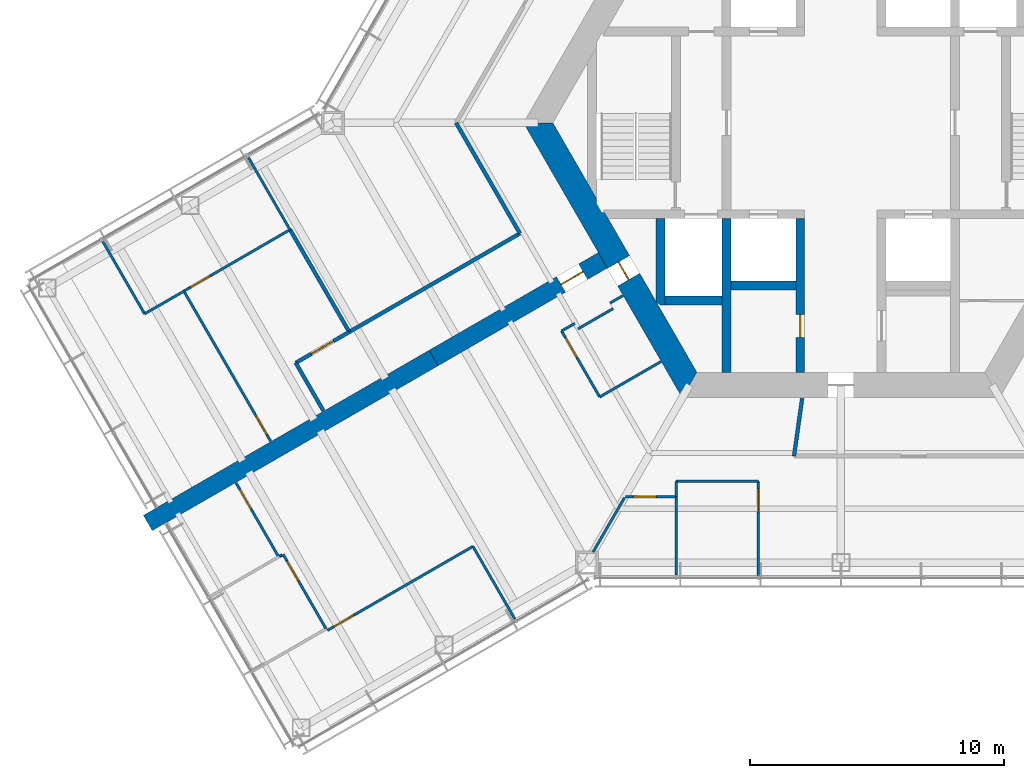
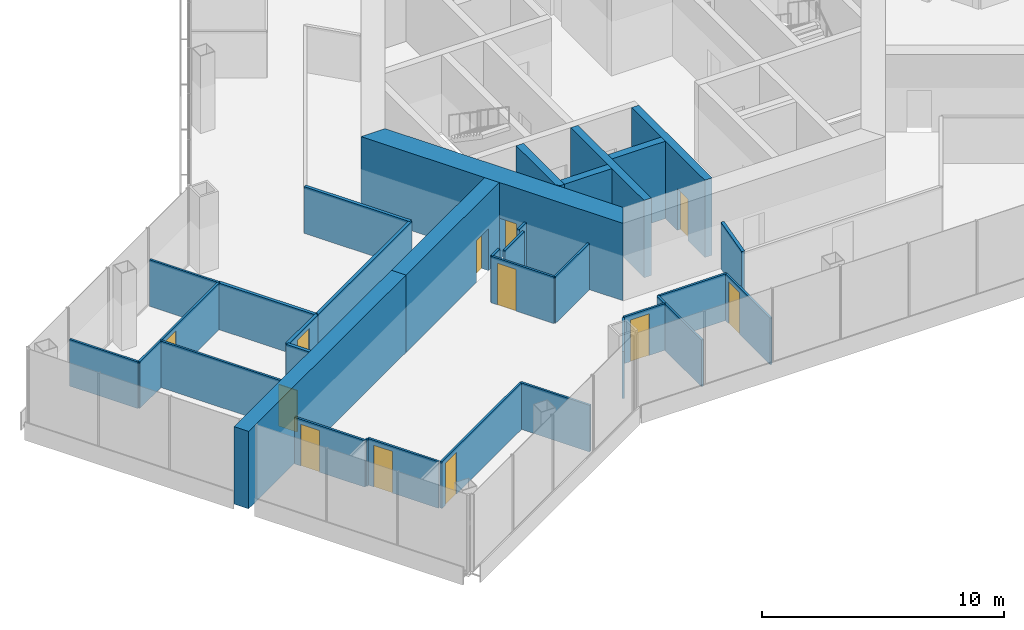
# One storey, part 12 of 18: 35 walls, 12 doors, 12 openings.
"""IFC4 building model written with IfcOpenShell, lengths in metres."""

from ifc_helpers import new_model, si_unit, direction, frame, frame_2d, origin, place, context, subcontext, project, spatial, polyline, rectangle, outline, extrude, material, layer, layer_set, type_object, element, fill, save


model = new_model("IFC4")

# Units and contexts
model_context = context("Model", 3, precision=1e-05, world=origin(), true_north=direction((0.0, 1.0)))
body_context = subcontext(model_context, "Body", "Model", "MODEL_VIEW")
ifc_project = project(units=[si_unit("LENGTHUNIT", "METRE"), si_unit("AREAUNIT", "SQUARE_METRE"), si_unit("VOLUMEUNIT", "CUBIC_METRE"), si_unit("PLANEANGLEUNIT", "RADIAN"), si_unit("MASSUNIT", "GRAM", prefix="KILO")], contexts=[model_context])

# Site, building, storey
site_placement = place(None, origin())
site = spatial("IfcSite", under=ifc_project, at=site_placement, CompositionType="ELEMENT")
building_placement = place(site_placement, origin())
building = spatial("IfcBuilding", under=site, at=building_placement, Name="Kasaneha Research Tower", CompositionType="ELEMENT")
storey_placement = place(building_placement, frame((0.0, 0.0, 199.39990234375)))
storey = spatial("IfcBuildingStorey", under=building, at=storey_placement, Name="L50", CompositionType="ELEMENT", Elevation=199.39990234375)

# Wall, opening, door
ifc_material_1 = material(Name="Concrete Fc70", Category="concrete")
ifc_layer_1 = layer(ifc_material_1, 0.35009765625)
ifc_layer_set_1 = layer_set([ifc_layer_1], Name="Core internal wall 350 Fc70")
wall_type_1 = type_object("IfcWallType", Name="Core internal wall 350 Fc70", PredefinedType="SHEAR", material=ifc_layer_set_1)
wall_1_placement = place(storey_placement, frame((-1.60009765625, -3.77490234375, 0.0), z_axis=(0.0, 0.0, 1.0), x_axis=(0.0, -1.0, 0.0)))
wall_1 = element("IfcWall", 1, at=wall_1_placement, inside=storey, type_object=wall_type_1, Name="Core wall CSW L50", PredefinedType="SHEAR", context=body_context, shape_type="SweptSolid", body=[
    extrude(rectangle(XDim=6.050048828125, YDim=0.35009765625, at=frame_2d((3.02490234375, 0.0))), origin(), (0.0, 0.0, 1.0), 3.900146484375),
])
opening_1_placement = place(wall_1_placement, frame((3.77490234375, 0.0, 0.0)))
opening_1 = element("IfcOpeningElement", 2, at=opening_1_placement, cuts=wall_1, Name="Opening L50-D16", PredefinedType="OPENING", context=body_context, shape_type="SweptSolid", body=[
    extrude(rectangle(XDim=0.89990234375, YDim=2.10009765625, at=frame_2d((0.449951171875, 1.050048828125))), frame((0.0, 0.18505859375, 0.0), z_axis=(0.0, -1.0, 0.0), x_axis=(1.0, 0.0, 0.0)), (0.0, 0.0, 1.0), 0.3701171875),
])
ifc_material_2 = material(Name="Steel", Category="steel")
door_type_1 = type_object("IfcDoorType", Name="Riser access door FD60 900x2100", OperationType="NOTDEFINED", PredefinedType="DOOR", material=ifc_material_2)
door_1_placement = place(opening_1_placement, origin())
door_1 = element("IfcDoor", 3, at=door_1_placement, inside=storey, type_object=door_type_1, Name="Electrical riser door L50-D16", OperationType="SINGLE_SWING_LEFT", OverallHeight=2.10009765625, OverallWidth=0.89990234375, PredefinedType="DOOR", context=body_context, shape_type="SweptSolid", body=[
    extrude(rectangle(XDim=0.89990234375, YDim=2.10009765625, at=frame_2d((0.449951171875, 1.050048828125))), frame((0.0, 0.02490234375, 0.0), z_axis=(0.0, -1.0, 0.0), x_axis=(1.0, 0.0, 0.0)), (0.0, 0.0, 1.0), 0.050048828125),
])
fill(opening_1, door_1)

# Walls
wall_2_placement = place(storey_placement, frame((-4.5, -3.77490234375, 0.0), z_axis=(0.0, 0.0, 1.0), x_axis=(0.0, -1.0, 0.0)))
element("IfcWall", 4, at=wall_2_placement, inside=storey, type_object=wall_type_1, Name="Core wall SSW L50", PredefinedType="SHEAR", context=body_context, shape_type="SweptSolid", body=[
    extrude(rectangle(XDim=6.050048828125, YDim=0.35009765625, at=frame_2d((3.02490234375, 0.0))), origin(), (0.0, 0.0, 1.0), 3.900146484375),
])
wall_3_placement = place(storey_placement, frame((-4.324951171875, -6.39990234375, 0.0), z_axis=(0.0, 0.0, 1.0), x_axis=(1.0, 0.0, 0.0)))
element("IfcWall", 5, at=wall_3_placement, inside=storey, type_object=wall_type_1, Name="Core wall S1S L50", PredefinedType="SHEAR", context=body_context, shape_type="SweptSolid", body=[
    extrude(rectangle(XDim=2.550048828125, YDim=0.35009765625, at=frame_2d((1.27490234375, 0.0))), origin(), (0.0, 0.0, 1.0), 3.900146484375),
])
wall_4_placement = place(storey_placement, frame((-6.925048828125, -7.0, 0.0), z_axis=(0.0, 0.0, 1.0), x_axis=(1.0, 0.0, 0.0)))
element("IfcWall", 6, at=wall_4_placement, inside=storey, type_object=wall_type_1, Name="Core wall F2S L50", PredefinedType="SHEAR", context=body_context, shape_type="SweptSolid", body=[
    extrude(rectangle(XDim=2.25, YDim=0.35009765625, at=frame_2d((1.125, 0.0))), origin(), (0.0, 0.0, 1.0), 3.900146484375),
])
wall_5_placement = place(storey_placement, frame((-7.10009765625, -3.77490234375, 0.0), z_axis=(0.0, 0.0, 1.0), x_axis=(0.0, -1.0, 0.0)))
element("IfcWall", 7, at=wall_5_placement, inside=storey, type_object=wall_type_1, Name="Core wall F2W L50", PredefinedType="SHEAR", context=body_context, shape_type="SweptSolid", body=[
    extrude(outline(polyline([(0.0, -0.175048828125), (3.2744140625, -0.175048828125), (3.400146484375, 0.0), (3.400146484375, 0.175048828125), (0.0, 0.175048828125), (0.0, -0.175048828125)])), origin(), (0.0, 0.0, 1.0), 3.900146484375),
])

# Wall, opening, door
ifc_material_3 = material(Name="Concrete Fc70", Category="concrete")
ifc_layer_2 = layer(ifc_material_3, 1.0)
ifc_layer_set_2 = layer_set([ifc_layer_2], Name="Core wall 1000 Fc70")
wall_type_2 = type_object("IfcWallType", Name="Core wall 1000 Fc70", PredefinedType="SHEAR", material=ifc_layer_set_2)
wall_6_placement = place(storey_placement, frame((-11.92236328125, 0.0, 0.0), z_axis=(0.0, 0.0, 1.0), x_axis=(0.500004296715, -0.866022923061, 0.0)))
wall_6 = element("IfcWall", 8, at=wall_6_placement, inside=storey, type_object=wall_type_2, Name="Core wall 210 L50", PredefinedType="SHEAR", context=body_context, shape_type="SweptSolid", body=[
    extrude(outline(polyline([(-0.28857421875, -0.5), (6.3310546875, -0.5), (7.131103515625, -0.5), (12.2109375, -0.5), (11.6337890625, 0.5), (7.131103515625, 0.5), (6.3310546875, 0.5), (0.28857421875, 0.5), (-0.28857421875, -0.5)])), origin(), (0.0, 0.0, 1.0), 3.900146484375),
])
opening_2_placement = place(wall_6_placement, frame((6.3310546875, 0.0, 0.0)))
opening_2 = element("IfcOpeningElement", 9, at=opening_2_placement, cuts=wall_6, Name="Opening L50-D06", PredefinedType="OPENING", context=body_context, shape_type="SweptSolid", body=[
    extrude(rectangle(XDim=0.800048828125, YDim=2.10009765625, at=frame_2d((0.39990234375, 1.050048828125))), frame((0.0, 0.510009765625, 0.0), z_axis=(0.0, -1.0, 0.0), x_axis=(1.0, 0.0, 0.0)), (0.0, 0.0, 1.0), 1.02001953125),
])
ifc_material_4 = material(Name="Steel", Category="steel")
door_type_2 = type_object("IfcDoorType", Name="Riser access door FD60 800x2100", OperationType="NOTDEFINED", PredefinedType="DOOR", material=ifc_material_4)
door_2_placement = place(opening_2_placement, origin())
door_2 = element("IfcDoor", 10, at=door_2_placement, inside=storey, type_object=door_type_2, Name="Duct riser door L50-D06", OperationType="SINGLE_SWING_RIGHT", OverallHeight=2.10009765625, OverallWidth=0.800048828125, PredefinedType="DOOR", context=body_context, shape_type="SweptSolid", body=[
    extrude(rectangle(XDim=0.800048828125, YDim=2.10009765625, at=frame_2d((0.39990234375, 1.050048828125))), frame((0.0, 0.02490234375, 0.0), z_axis=(0.0, -1.0, 0.0), x_axis=(1.0, 0.0, 0.0)), (0.0, 0.0, 1.0), 0.050048828125),
])
fill(opening_2, door_2)

# Walls
ifc_material_5 = material(Name="Gypsum board on steel studs, one layer each side", Category="steel")
ifc_layer_3 = layer(ifc_material_5, 0.10009765625)
ifc_layer_set_3 = layer_set([ifc_layer_3], Name="Office partition 100")
wall_type_3 = type_object("IfcWallType", Name="Office partition 100", PredefinedType="PARTITIONING", material=ifc_layer_set_3)
wall_7_placement = place(storey_placement, frame((-29.065185546875, -4.6796875, 0.0), z_axis=(0.0, 0.0, 1.0), x_axis=(0.500061797536, -0.86598972202, 0.0)))
element("IfcWall", 11, at=wall_7_placement, inside=storey, type_object=wall_type_3, Name="Office partition FBN07 L50", PredefinedType="PARTITIONING", context=body_context, shape_type="SweptSolid", body=[
    extrude(rectangle(XDim=3.27978515625, YDim=0.10009765625, at=frame_2d((1.639892578125, 0.0))), origin(), (0.0, 0.0, 1.0), 2.35009765625),
])
wall_8_placement = place(storey_placement, frame((-27.425048828125, -7.52001953125, 0.0), z_axis=(0.0, 0.0, 1.0), x_axis=(0.867394737581, 0.497620708188, 0.0)))
element("IfcWall", 12, at=wall_8_placement, inside=storey, type_object=wall_type_3, Name="Office partition FBN08 L50", PredefinedType="PARTITIONING", context=body_context, shape_type="SweptSolid", body=[
    extrude(rectangle(XDim=1.791259765625, YDim=0.10009765625, at=frame_2d((0.8955078125, 0.0))), origin(), (0.0, 0.0, 1.0), 2.35009765625),
])

# Wall, opening, door
wall_9_placement = place(storey_placement, frame((-25.8779296875, -6.627197265625, 0.0), z_axis=(0.0, 0.0, 1.0), x_axis=(0.500502111965, -0.865735315162, 0.0)))
wall_9 = element("IfcWall", 13, at=wall_9_placement, inside=storey, type_object=wall_type_3, Name="Office partition FBN09 L50", PredefinedType="PARTITIONING", context=body_context, shape_type="SweptSolid", body=[
    extrude(rectangle(XDim=6.82958984375, YDim=0.10009765625, at=frame_2d((3.414794921875, 0.0))), origin(), (0.0, 0.0, 1.0), 2.35009765625),
])
opening_3_placement = place(wall_9_placement, frame((5.629638671875, 0.0, 0.0)))
opening_3 = element("IfcOpeningElement", 14, at=opening_3_placement, cuts=wall_9, Name="Opening L50-D34", PredefinedType="OPENING", context=body_context, shape_type="SweptSolid", body=[
    extrude(rectangle(XDim=0.89990234375, YDim=2.10009765625, at=frame_2d((0.449951171875, 1.050048828125))), frame((0.0, 0.06005859375, 0.0), z_axis=(0.0, -1.0, 0.0), x_axis=(1.0, 0.0, 0.0)), (0.0, 0.0, 1.0), 0.1201171875),
])
ifc_material_6 = material(Name="Timber veneer", Category="wood")
door_type_3 = type_object("IfcDoorType", Name="Office door 900x2100", OperationType="SINGLE_SWING_LEFT", PredefinedType="DOOR", material=ifc_material_6)
door_3_placement = place(opening_3_placement, origin())
door_3 = element("IfcDoor", 15, at=door_3_placement, inside=storey, type_object=door_type_3, Name="Large meeting room door L50-D34", OperationType="SINGLE_SWING_RIGHT", OverallHeight=2.10009765625, OverallWidth=0.89990234375, PredefinedType="DOOR", context=body_context, shape_type="SweptSolid", body=[
    extrude(rectangle(XDim=0.89990234375, YDim=2.10009765625, at=frame_2d((0.449951171875, 1.050048828125))), frame((0.0, 0.02490234375, 0.0), z_axis=(0.0, -1.0, 0.0), x_axis=(1.0, 0.0, 0.0)), (0.0, 0.0, 1.0), 0.050048828125),
])
fill(opening_3, door_3)

# Wall
wall_10_placement = place(storey_placement, frame((-23.332275390625, -1.36962890625, 0.0), z_axis=(0.0, 0.0, 1.0), x_axis=(0.498789948492, -0.866722901095, 0.0)))
element("IfcWall", 16, at=wall_10_placement, inside=storey, type_object=wall_type_3, Name="Office partition FBN10 L50", PredefinedType="PARTITIONING", context=body_context, shape_type="SweptSolid", body=[
    extrude(rectangle(XDim=3.280029296875, YDim=0.10009765625, at=frame_2d((1.64013671875, 0.0))), origin(), (0.0, 0.0, 1.0), 2.35009765625),
])

# Wall, opening, door
wall_11_placement = place(storey_placement, frame((-21.694580078125, -4.206298828125, 0.0), z_axis=(0.0, 0.0, 1.0), x_axis=(-0.865554211136, -0.500815242963, 0.0)))
wall_11 = element("IfcWall", 17, at=wall_11_placement, inside=storey, type_object=wall_type_3, Name="Office partition FBN11 L50", PredefinedType="PARTITIONING", context=body_context, shape_type="SweptSolid", body=[
    extrude(rectangle(XDim=4.83349609375, YDim=0.10009765625, at=frame_2d((2.416748046875, 0.0))), origin(), (0.0, 0.0, 1.0), 2.35009765625),
])
opening_4_placement = place(wall_11_placement, frame((3.63330078125, 0.0, 0.0)))
opening_4 = element("IfcOpeningElement", 18, at=opening_4_placement, cuts=wall_11, Name="Opening L50-D35", PredefinedType="OPENING", context=body_context, shape_type="SweptSolid", body=[
    extrude(rectangle(XDim=0.89990234375, YDim=2.10009765625, at=frame_2d((0.449951171875, 1.050048828125))), frame((0.0, 0.06005859375, 0.0), z_axis=(0.0, -1.0, 0.0), x_axis=(1.0, 0.0, 0.0)), (0.0, 0.0, 1.0), 0.1201171875),
])
door_4_placement = place(opening_4_placement, origin())
door_4 = element("IfcDoor", 19, at=door_4_placement, inside=storey, type_object=door_type_3, Name="Meeting room door L50-D35", OperationType="SINGLE_SWING_RIGHT", OverallHeight=2.10009765625, OverallWidth=0.89990234375, PredefinedType="DOOR", context=body_context, shape_type="SweptSolid", body=[
    extrude(rectangle(XDim=0.89990234375, YDim=2.10009765625, at=frame_2d((0.449951171875, 1.050048828125))), frame((0.0, 0.02490234375, 0.0), z_axis=(0.0, -1.0, 0.0), x_axis=(1.0, 0.0, 0.0)), (0.0, 0.0, 1.0), 0.050048828125),
])
fill(opening_4, door_4)

# Walls
wall_12_placement = place(storey_placement, frame((-10.99951171875, -8.197998046875, 0.0), z_axis=(0.0, 0.0, 1.0), x_axis=(0.866131372301, 0.499816412211, 0.0)))
element("IfcWall", 20, at=wall_12_placement, inside=storey, type_object=wall_type_3, Name="Office partition FBS01 L50", PredefinedType="PARTITIONING", context=body_context, shape_type="SweptSolid", body=[
    extrude(rectangle(XDim=0.599853515625, YDim=0.10009765625, at=frame_2d((0.2998046875, 0.0))), origin(), (0.0, 0.0, 1.0), 2.35009765625),
])
wall_13_placement = place(storey_placement, frame((-10.35498046875, -8.114501953125, 0.0), z_axis=(0.0, 0.0, 1.0), x_axis=(0.866094119867, 0.499880961361, 0.0)))
element("IfcWall", 21, at=wall_13_placement, inside=storey, type_object=wall_type_3, Name="Office partition FBS02 L50", PredefinedType="PARTITIONING", context=body_context, shape_type="SweptSolid", body=[
    extrude(rectangle(XDim=1.60009765625, YDim=0.10009765625, at=frame_2d((0.800048828125, 0.0))), origin(), (0.0, 0.0, 1.0), 2.35009765625),
])

# Wall, opening, door
wall_14_placement = place(storey_placement, frame((-9.49951171875, -10.796142578125, 0.0), z_axis=(0.0, 0.0, 1.0), x_axis=(-0.499990139034, 0.866031096941, 0.0)))
wall_14 = element("IfcWall", 22, at=wall_14_placement, inside=storey, type_object=wall_type_3, Name="Office partition FBS03 L50", PredefinedType="PARTITIONING", context=body_context, shape_type="SweptSolid", body=[
    extrude(rectangle(XDim=3.0, YDim=0.10009765625, at=frame_2d((1.5, 0.0))), origin(), (0.0, 0.0, 1.0), 2.35009765625),
])
opening_5_placement = place(wall_14_placement, frame((1.800048828125, 0.0, 0.0)))
opening_5 = element("IfcOpeningElement", 23, at=opening_5_placement, cuts=wall_14, Name="Opening L50-D37", PredefinedType="OPENING", context=body_context, shape_type="SweptSolid", body=[
    extrude(rectangle(XDim=0.89990234375, YDim=2.10009765625, at=frame_2d((0.449951171875, 1.050048828125))), frame((0.0, 0.06005859375, 0.0), z_axis=(0.0, -1.0, 0.0), x_axis=(1.0, 0.0, 0.0)), (0.0, 0.0, 1.0), 0.1201171875),
])
door_5_placement = place(opening_5_placement, origin())
door_5 = element("IfcDoor", 24, at=door_5_placement, inside=storey, type_object=door_type_3, Name="Pantry door L50-D37", OperationType="SINGLE_SWING_RIGHT", OverallHeight=2.10009765625, OverallWidth=0.89990234375, PredefinedType="DOOR", context=body_context, shape_type="SweptSolid", body=[
    extrude(rectangle(XDim=0.89990234375, YDim=2.10009765625, at=frame_2d((0.449951171875, 1.050048828125))), frame((0.0, 0.02490234375, 0.0), z_axis=(0.0, -1.0, 0.0), x_axis=(1.0, 0.0, 0.0)), (0.0, 0.0, 1.0), 0.050048828125),
])
fill(opening_5, door_5)

# Walls
wall_15_placement = place(storey_placement, frame((-9.09423828125, -7.09814453125, 0.0), z_axis=(0.0, 0.0, 1.0), x_axis=(0.865954211699, 0.50012328804, 0.0)))
element("IfcWall", 25, at=wall_15_placement, inside=storey, type_object=wall_type_3, Name="Office partition FBS04 L50", PredefinedType="PARTITIONING", context=body_context, shape_type="SweptSolid", body=[
    extrude(rectangle(XDim=0.579833984375, YDim=0.10009765625, at=frame_2d((0.2900390625, 0.0))), origin(), (0.0, 0.0, 1.0), 2.35009765625),
])
wall_16_placement = place(storey_placement, frame((-7.092041015625, -9.40625, 0.0), z_axis=(0.0, 0.0, 1.0), x_axis=(-0.86603494908, -0.499983466698, 0.0)))
element("IfcWall", 26, at=wall_16_placement, inside=storey, type_object=wall_type_3, Name="Office partition FBS05 L50", PredefinedType="PARTITIONING", context=body_context, shape_type="SweptSolid", body=[
    extrude(rectangle(XDim=2.77978515625, YDim=0.10009765625, at=frame_2d((1.389892578125, 0.0))), origin(), (0.0, 0.0, 1.0), 2.35009765625),
])

# Wall, opening, door
wall_17_placement = place(storey_placement, frame((-20.22509765625, -19.99072265625, 0.0), z_axis=(0.0, 0.0, 1.0), x_axis=(0.866030817826, 0.499990622488, 0.0)))
wall_17 = element("IfcWall", 27, at=wall_17_placement, inside=storey, type_object=wall_type_3, Name="Office partition FBS07 L50", PredefinedType="PARTITIONING", context=body_context, shape_type="SweptSolid", body=[
    extrude(rectangle(XDim=6.619873046875, YDim=0.10009765625, at=frame_2d((3.31005859375, 0.0))), origin(), (0.0, 0.0, 1.0), 2.35009765625),
])
opening_6_placement = place(wall_17_placement, frame((0.300048828125, 0.0, 0.0)))
opening_6 = element("IfcOpeningElement", 28, at=opening_6_placement, cuts=wall_17, Name="Opening L50-D38", PredefinedType="OPENING", context=body_context, shape_type="SweptSolid", body=[
    extrude(rectangle(XDim=0.89990234375, YDim=2.10009765625, at=frame_2d((0.449951171875, 1.050048828125))), frame((0.0, 0.06005859375, 0.0), z_axis=(0.0, -1.0, 0.0), x_axis=(1.0, 0.0, 0.0)), (0.0, 0.0, 1.0), 0.1201171875),
])
door_6_placement = place(opening_6_placement, origin())
door_6 = element("IfcDoor", 29, at=door_6_placement, inside=storey, type_object=door_type_3, Name="Interview room door L50-D38", OperationType="SINGLE_SWING_LEFT", OverallHeight=2.10009765625, OverallWidth=0.89990234375, PredefinedType="DOOR", context=body_context, shape_type="SweptSolid", body=[
    extrude(rectangle(XDim=0.89990234375, YDim=2.10009765625, at=frame_2d((0.449951171875, 1.050048828125))), frame((0.0, 0.02490234375, 0.0), z_axis=(0.0, -1.0, 0.0), x_axis=(1.0, 0.0, 0.0)), (0.0, 0.0, 1.0), 0.050048828125),
])
fill(opening_6, door_6)

# Wall
wall_18_placement = place(storey_placement, frame((-14.4921875, -16.680908203125, 0.0), z_axis=(0.0, 0.0, 1.0), x_axis=(0.500008057651, -0.866020751647, 0.0)))
element("IfcWall", 30, at=wall_18_placement, inside=storey, type_object=wall_type_3, Name="Office partition FBS08 L50", PredefinedType="PARTITIONING", context=body_context, shape_type="SweptSolid", body=[
    extrude(rectangle(XDim=3.30517578125, YDim=0.10009765625, at=frame_2d((1.652587890625, 0.0))), origin(), (0.0, 0.0, 1.0), 2.35009765625),
])

# Wall, opening, door
wall_19_placement = place(storey_placement, frame((-21.966796875, -16.993408203125, 0.0), z_axis=(0.0, 0.0, 1.0), x_axis=(0.498972655929, -0.866617729241, 0.0)))
wall_19 = element("IfcWall", 31, at=wall_19_placement, inside=storey, type_object=wall_type_3, Name="Office partition FBS10 L50", PredefinedType="PARTITIONING", context=body_context, shape_type="SweptSolid", body=[
    extrude(rectangle(XDim=3.38330078125, YDim=0.10009765625, at=frame_2d((1.691650390625, 0.0))), origin(), (0.0, 0.0, 1.0), 2.35009765625),
])
opening_7_placement = place(wall_19_placement, frame((0.300048828125, 0.0, 0.0)))
opening_7 = element("IfcOpeningElement", 32, at=opening_7_placement, cuts=wall_19, Name="Opening L50-D39", PredefinedType="OPENING", context=body_context, shape_type="SweptSolid", body=[
    extrude(rectangle(XDim=0.89990234375, YDim=2.10009765625, at=frame_2d((0.449951171875, 1.050048828125))), frame((0.0, 0.06005859375, 0.0), z_axis=(0.0, -1.0, 0.0), x_axis=(1.0, 0.0, 0.0)), (0.0, 0.0, 1.0), 0.1201171875),
])
door_7_placement = place(opening_7_placement, origin())
door_7 = element("IfcDoor", 33, at=door_7_placement, inside=storey, type_object=door_type_3, Name="Manager's office door L50-D39", OperationType="SINGLE_SWING_LEFT", OverallHeight=2.10009765625, OverallWidth=0.89990234375, PredefinedType="DOOR", context=body_context, shape_type="SweptSolid", body=[
    extrude(rectangle(XDim=0.89990234375, YDim=2.10009765625, at=frame_2d((0.449951171875, 1.050048828125))), frame((0.0, 0.02490234375, 0.0), z_axis=(0.0, -1.0, 0.0), x_axis=(1.0, 0.0, 0.0)), (0.0, 0.0, 1.0), 0.050048828125),
])
fill(opening_7, door_7)

wall_20_placement = place(storey_placement, frame((-23.82177734375, -14.1806640625, 0.0), z_axis=(0.0, 0.0, 1.0), x_axis=(0.498880193261, -0.866670959922, 0.0)))
wall_20 = element("IfcWall", 34, at=wall_20_placement, inside=storey, type_object=wall_type_3, Name="Office partition FBS11 L50", PredefinedType="PARTITIONING", context=body_context, shape_type="SweptSolid", body=[
    extrude(rectangle(XDim=3.363525390625, YDim=0.10009765625, at=frame_2d((1.681640625, 0.0))), origin(), (0.0, 0.0, 1.0), 2.35009765625),
])
opening_8_placement = place(wall_20_placement, frame((0.300048828125, 0.0, 0.0)))
opening_8 = element("IfcOpeningElement", 35, at=opening_8_placement, cuts=wall_20, Name="Opening L50-D40", PredefinedType="OPENING", context=body_context, shape_type="SweptSolid", body=[
    extrude(rectangle(XDim=0.89990234375, YDim=2.10009765625, at=frame_2d((0.449951171875, 1.050048828125))), frame((0.0, 0.06005859375, 0.0), z_axis=(0.0, -1.0, 0.0), x_axis=(1.0, 0.0, 0.0)), (0.0, 0.0, 1.0), 0.1201171875),
])
door_8_placement = place(opening_8_placement, origin())
door_8 = element("IfcDoor", 36, at=door_8_placement, inside=storey, type_object=door_type_3, Name="Workroom door L50-D40", OperationType="SINGLE_SWING_LEFT", OverallHeight=2.10009765625, OverallWidth=0.89990234375, PredefinedType="DOOR", context=body_context, shape_type="SweptSolid", body=[
    extrude(rectangle(XDim=0.89990234375, YDim=2.10009765625, at=frame_2d((0.449951171875, 1.050048828125))), frame((0.0, 0.02490234375, 0.0), z_axis=(0.0, -1.0, 0.0), x_axis=(1.0, 0.0, 0.0)), (0.0, 0.0, 1.0), 0.050048828125),
])
fill(opening_8, door_8)

# Walls
wall_21_placement = place(storey_placement, frame((-6.492919921875, -17.800537109375, 0.0), z_axis=(0.0, 0.0, 1.0), x_axis=(0.0, 1.0, 0.0)))
element("IfcWall", 37, at=wall_21_placement, inside=storey, type_object=wall_type_3, Name="Office partition FCS10 L50", PredefinedType="PARTITIONING", context=body_context, shape_type="SweptSolid", body=[
    extrude(rectangle(XDim=3.0849609375, YDim=0.10009765625, at=frame_2d((1.54248046875, 0.0))), origin(), (0.0, 0.0, 1.0), 2.35009765625),
])
wall_22_placement = place(storey_placement, frame((-6.492919921875, -14.72509765625, 0.0), z_axis=(0.0, 0.0, 1.0), x_axis=(0.0, 1.0, 0.0)))
element("IfcWall", 38, at=wall_22_placement, inside=storey, type_object=wall_type_3, Name="Office partition FCS11 L50", PredefinedType="PARTITIONING", context=body_context, shape_type="SweptSolid", body=[
    extrude(rectangle(XDim=0.6044921875, YDim=0.10009765625, at=frame_2d((0.30224609375, 0.0))), origin(), (0.0, 0.0, 1.0), 2.35009765625),
])
wall_23_placement = place(storey_placement, frame((-6.492919921875, -14.12060546875, 0.0), z_axis=(0.0, 0.0, 1.0), x_axis=(1.0, 0.0, 0.0)))
element("IfcWall", 39, at=wall_23_placement, inside=storey, type_object=wall_type_3, Name="Office partition FCS12 L50", PredefinedType="PARTITIONING", context=body_context, shape_type="SweptSolid", body=[
    extrude(rectangle(XDim=3.24658203125, YDim=0.10009765625, at=frame_2d((1.623291015625, 0.0))), origin(), (0.0, 0.0, 1.0), 2.35009765625),
])

# Wall, opening, door
wall_24_placement = place(storey_placement, frame((-3.246337890625, -14.12060546875, 0.0), z_axis=(0.0, 0.0, 1.0), x_axis=(0.0, -1.0, 0.0)))
wall_24 = element("IfcWall", 40, at=wall_24_placement, inside=storey, type_object=wall_type_3, Name="Office partition FCS13 L50", PredefinedType="PARTITIONING", context=body_context, shape_type="SweptSolid", body=[
    extrude(rectangle(XDim=3.72998046875, YDim=0.10009765625, at=frame_2d((1.864990234375, 0.0))), origin(), (0.0, 0.0, 1.0), 2.35009765625),
])
opening_9_placement = place(wall_24_placement, frame((0.300048828125, 0.0, 0.0)))
opening_9 = element("IfcOpeningElement", 41, at=opening_9_placement, cuts=wall_24, Name="Opening L50-D46", PredefinedType="OPENING", context=body_context, shape_type="SweptSolid", body=[
    extrude(rectangle(XDim=0.89990234375, YDim=2.10009765625, at=frame_2d((0.449951171875, 1.050048828125))), frame((0.0, 0.06005859375, 0.0), z_axis=(0.0, -1.0, 0.0), x_axis=(1.0, 0.0, 0.0)), (0.0, 0.0, 1.0), 0.1201171875),
])
door_9_placement = place(opening_9_placement, origin())
door_9 = element("IfcDoor", 42, at=door_9_placement, inside=storey, type_object=door_type_3, Name="Manager's office door L50-D46", OperationType="SINGLE_SWING_LEFT", OverallHeight=2.10009765625, OverallWidth=0.89990234375, PredefinedType="DOOR", context=body_context, shape_type="SweptSolid", body=[
    extrude(rectangle(XDim=0.89990234375, YDim=2.10009765625, at=frame_2d((0.449951171875, 1.050048828125))), frame((0.0, 0.02490234375, 0.0), z_axis=(0.0, -1.0, 0.0), x_axis=(1.0, 0.0, 0.0)), (0.0, 0.0, 1.0), 0.050048828125),
])
fill(opening_9, door_9)

wall_25_placement = place(storey_placement, frame((-8.475830078125, -14.720458984375, 0.0), z_axis=(0.0, 0.0, 1.0), x_axis=(0.99999726379, -0.002339318888, 0.0)))
wall_25 = element("IfcWall", 43, at=wall_25_placement, inside=storey, type_object=wall_type_3, Name="Office partition FCS16 L50", PredefinedType="PARTITIONING", context=body_context, shape_type="SweptSolid", body=[
    extrude(rectangle(XDim=1.98291015625, YDim=0.10009765625, at=frame_2d((0.991455078125, 0.0))), origin(), (0.0, 0.0, 1.0), 2.35009765625),
])
opening_10_placement = place(wall_25_placement, frame((0.300048828125, 0.0, 0.0)))
opening_10 = element("IfcOpeningElement", 44, at=opening_10_placement, cuts=wall_25, Name="Opening L50-D48", PredefinedType="OPENING", context=body_context, shape_type="SweptSolid", body=[
    extrude(rectangle(XDim=0.89990234375, YDim=2.10009765625, at=frame_2d((0.449951171875, 1.050048828125))), frame((0.0, 0.06005859375, 0.0), z_axis=(0.0, -1.0, 0.0), x_axis=(1.0, 0.0, 0.0)), (0.0, 0.0, 1.0), 0.1201171875),
])
door_10_placement = place(opening_10_placement, origin())
door_10 = element("IfcDoor", 45, at=door_10_placement, inside=storey, type_object=door_type_3, Name="Phone room door L50-D48", OperationType="SINGLE_SWING_LEFT", OverallHeight=2.10009765625, OverallWidth=0.89990234375, PredefinedType="DOOR", context=body_context, shape_type="SweptSolid", body=[
    extrude(rectangle(XDim=0.89990234375, YDim=2.10009765625, at=frame_2d((0.449951171875, 1.050048828125))), frame((0.0, 0.02490234375, 0.0), z_axis=(0.0, -1.0, 0.0), x_axis=(1.0, 0.0, 0.0)), (0.0, 0.0, 1.0), 0.050048828125),
])
fill(opening_10, door_10)

# Walls
wall_26_placement = place(storey_placement, frame((-22.01025390625, -17.018310546875, 0.0), z_axis=(0.0, 0.0, 1.0), x_axis=(-0.866224454185, -0.499655075999, 0.0)))
element("IfcWall", 46, at=wall_26_placement, inside=storey, type_object=wall_type_3, Name="Office partition closer PT5 L50", PredefinedType="PARTITIONING", context=body_context, shape_type="SweptSolid", body=[
    extrude(rectangle(XDim=0.1044921875, YDim=0.10009765625, at=frame_2d((0.05224609375, 0.0))), origin(), (0.0, 0.0, 1.0), 2.35009765625),
])
wall_27_placement = place(storey_placement, frame((-9.75927734375, -16.903564453125, 0.0), z_axis=(0.0, 0.0, 1.0), x_axis=(0.500049399443, 0.865996881124, 0.0)))
element("IfcWall", 47, at=wall_27_placement, inside=storey, type_object=wall_type_3, Name="Office partition closer PT5 L50", PredefinedType="PARTITIONING", context=body_context, shape_type="SweptSolid", body=[
    extrude(rectangle(XDim=2.477783203125, YDim=0.10009765625, at=frame_2d((1.23876953125, 0.0))), origin(), (0.0, 0.0, 1.0), 2.35009765625),
])

# Wall, opening, door
ifc_material_7 = material(Name="Concrete Fc70", Category="concrete")
ifc_layer_4 = layer(ifc_material_7, 0.699951171875)
ifc_layer_set_4 = layer_set([ifc_layer_4], Name="Spine wall 700 Fc70")
wall_type_4 = type_object("IfcWallType", Name="Spine wall 700 Fc70", PredefinedType="SHEAR", material=ifc_layer_set_4)
wall_28_placement = place(storey_placement, frame((-9.374755859375, -5.41259765625, 0.0), z_axis=(0.0, 0.0, 1.0), x_axis=(-0.866032377459, -0.499987921047, 0.0)))
wall_28 = element("IfcWall", 48, at=wall_28_placement, inside=storey, type_object=wall_type_4, Name="Spine wall B L50", PredefinedType="SHEAR", context=body_context, shape_type="SweptSolid", body=[
    extrude(rectangle(XDim=7.695556640625, YDim=0.699951171875, at=frame_2d((3.84765625, 0.0))), origin(), (0.0, 0.0, 1.0), 3.900146484375),
])
opening_11_placement = place(wall_28_placement, frame((0.89990234375, 0.0, 0.0)))
opening_11 = element("IfcOpeningElement", 49, at=opening_11_placement, cuts=wall_28, Name="Opening L50-D18", PredefinedType="OPENING", context=body_context, shape_type="SweptSolid", body=[
    extrude(rectangle(XDim=1.0, YDim=2.10009765625, at=frame_2d((0.5, 1.050048828125))), frame((0.0, 0.35986328125, 0.0), z_axis=(0.0, -1.0, 0.0), x_axis=(1.0, 0.0, 0.0)), (0.0, 0.0, 1.0), 0.719970703125),
])
ifc_material_8 = material(Name="Steel", Category="steel")
door_type_4 = type_object("IfcDoorType", Name="Specified fire door FD60 1000x2100", OperationType="NOTDEFINED", PredefinedType="DOOR", material=ifc_material_8)
door_11_placement = place(opening_11_placement, origin())
door_11 = element("IfcDoor", 50, at=door_11_placement, inside=storey, type_object=door_type_4, Name="Spine doorway B L50-D18", OperationType="SINGLE_SWING_LEFT", OverallHeight=2.10009765625, OverallWidth=1.0, PredefinedType="DOOR", context=body_context, shape_type="SweptSolid", body=[
    extrude(rectangle(XDim=1.0, YDim=2.10009765625, at=frame_2d((0.5, 1.050048828125))), frame((0.0, 0.02490234375, 0.0), z_axis=(0.0, -1.0, 0.0), x_axis=(1.0, 0.0, 0.0)), (0.0, 0.0, 1.0), 0.050048828125),
])
fill(opening_11, door_11)

# Walls
wall_29_placement = place(storey_placement, frame((-16.039306640625, -9.26025390625, 0.0), z_axis=(0.0, 0.0, 1.0), x_axis=(-0.866024837091, -0.50000098154, 0.0)))
element("IfcWall", 51, at=wall_29_placement, inside=storey, type_object=wall_type_4, Name="Spine wall B wing L50", PredefinedType="SHEAR", context=body_context, shape_type="SweptSolid", body=[
    extrude(rectangle(XDim=13.0, YDim=0.699951171875, at=frame_2d((6.5, 0.0))), origin(), (0.0, 0.0, 1.0), 3.900146484375),
])
ifc_material_9 = material(Name="Gypsum board on steel studs, two layers each side", Category="steel")
ifc_layer_5 = layer(ifc_material_9, 0.14990234375)
ifc_layer_set_5 = layer_set([ifc_layer_5], Name="Suite partition 150")
wall_type_5 = type_object("IfcWallType", Name="Suite partition 150", PredefinedType="PARTITIONING", material=ifc_layer_set_5)
wall_30_placement = place(storey_placement, frame((-19.37158203125, -8.23974609375, 0.0), z_axis=(0.0, 0.0, 1.0), x_axis=(0.866015031168, 0.500017965468, 0.0)))
element("IfcWall", 52, at=wall_30_placement, inside=storey, type_object=wall_type_5, Name="Suite partition FBN01 L50", PredefinedType="PARTITIONING", context=body_context, shape_type="SweptSolid", body=[
    extrude(rectangle(XDim=7.771240234375, YDim=0.14990234375, at=frame_2d((3.8857421875, 0.0))), origin(), (0.0, 0.0, 1.0), 2.35009765625),
])
wall_31_placement = place(storey_placement, frame((-12.6416015625, -4.35400390625, 0.0), z_axis=(0.0, 0.0, 1.0), x_axis=(-0.500019495363, 0.866014147839, 0.0)))
element("IfcWall", 53, at=wall_31_placement, inside=storey, type_object=wall_type_5, Name="Suite partition FBN03 L50", PredefinedType="PARTITIONING", context=body_context, shape_type="SweptSolid", body=[
    extrude(rectangle(XDim=5.027587890625, YDim=0.14990234375, at=frame_2d((2.513671875, 0.0))), origin(), (0.0, 0.0, 1.0), 2.35009765625),
])

# Wall, opening, door
wall_32_placement = place(storey_placement, frame((-21.47119140625, -9.451904296875, 0.0), z_axis=(0.0, 0.0, 1.0), x_axis=(0.866025270247, 0.500000231294, 0.0)))
wall_32 = element("IfcWall", 54, at=wall_32_placement, inside=storey, type_object=wall_type_5, Name="Suite partition FBN05 L50", PredefinedType="PARTITIONING", context=body_context, shape_type="SweptSolid", body=[
    extrude(rectangle(XDim=2.4345703125, YDim=0.14990234375, at=frame_2d((1.21728515625, 0.0))), origin(), (0.0, 0.0, 1.0), 2.35009765625),
])
opening_12_placement = place(wall_32_placement, frame((0.71728515625, 0.0, 0.0)))
opening_12 = element("IfcOpeningElement", 55, at=opening_12_placement, cuts=wall_32, Name="Opening L50-D33", PredefinedType="OPENING", context=body_context, shape_type="SweptSolid", body=[
    extrude(rectangle(XDim=1.0, YDim=2.10009765625, at=frame_2d((0.5, 1.050048828125))), frame((0.0, 0.0849609375, 0.0), z_axis=(0.0, -1.0, 0.0), x_axis=(1.0, 0.0, 0.0)), (0.0, 0.0, 1.0), 0.169921875),
])
ifc_material_10 = material(Name="Steel", Category="steel")
door_type_5 = type_object("IfcDoorType", Name="Suite entrance door FD60 1000x2100", OperationType="NOTDEFINED", PredefinedType="DOOR", material=ifc_material_10)
door_12_placement = place(opening_12_placement, origin())
door_12 = element("IfcDoor", 56, at=door_12_placement, inside=storey, type_object=door_type_5, Name="Suite entrance door L50-D33", OperationType="SINGLE_SWING_RIGHT", OverallHeight=2.10009765625, OverallWidth=1.0, PredefinedType="DOOR", context=body_context, shape_type="SweptSolid", body=[
    extrude(rectangle(XDim=1.0, YDim=2.10009765625, at=frame_2d((0.5, 1.050048828125))), frame((0.0, 0.02490234375, 0.0), z_axis=(0.0, -1.0, 0.0), x_axis=(1.0, 0.0, 0.0)), (0.0, 0.0, 1.0), 0.050048828125),
])
fill(opening_12, door_12)

# Walls
wall_33_placement = place(storey_placement, frame((-20.381103515625, -11.33984375, 0.0), z_axis=(0.0, 0.0, 1.0), x_axis=(-0.500029427677, 0.866008413041, 0.0)))
element("IfcWall", 57, at=wall_33_placement, inside=storey, type_object=wall_type_5, Name="Suite partition FBN06 L50", PredefinedType="PARTITIONING", context=body_context, shape_type="SweptSolid", body=[
    extrude(rectangle(XDim=2.179931640625, YDim=0.14990234375, at=frame_2d((1.08984375, 0.0))), origin(), (0.0, 0.0, 1.0), 2.35009765625),
])
wall_34_placement = place(storey_placement, frame((-19.363037109375, -8.234130859375, 0.0), z_axis=(0.0, 0.0, 1.0), x_axis=(-0.500877035324, 0.865518454734, 0.0)))
element("IfcWall", 58, at=wall_34_placement, inside=storey, type_object=wall_type_5, Name="Suite partition FBN15 L50", PredefinedType="PARTITIONING", context=body_context, shape_type="SweptSolid", body=[
    extrude(rectangle(XDim=4.654052734375, YDim=0.14990234375, at=frame_2d((2.3271484375, 0.0))), origin(), (0.0, 0.0, 1.0), 2.35009765625),
])
wall_35_placement = place(storey_placement, frame((-1.844482421875, -13.125, 0.0), z_axis=(0.0, 0.0, 1.0), x_axis=(0.139119980631, 0.990275532864, 0.0)))
element("IfcWall", 59, at=wall_35_placement, inside=storey, type_object=wall_type_5, Name="Suite partition FCS01 L50", PredefinedType="PARTITIONING", context=body_context, shape_type="SweptSolid", body=[
    extrude(rectangle(XDim=2.302490234375, YDim=0.14990234375, at=frame_2d((1.1513671875, 0.0))), origin(), (0.0, 0.0, 1.0), 2.35009765625),
])

save(model, "model.ifc")
